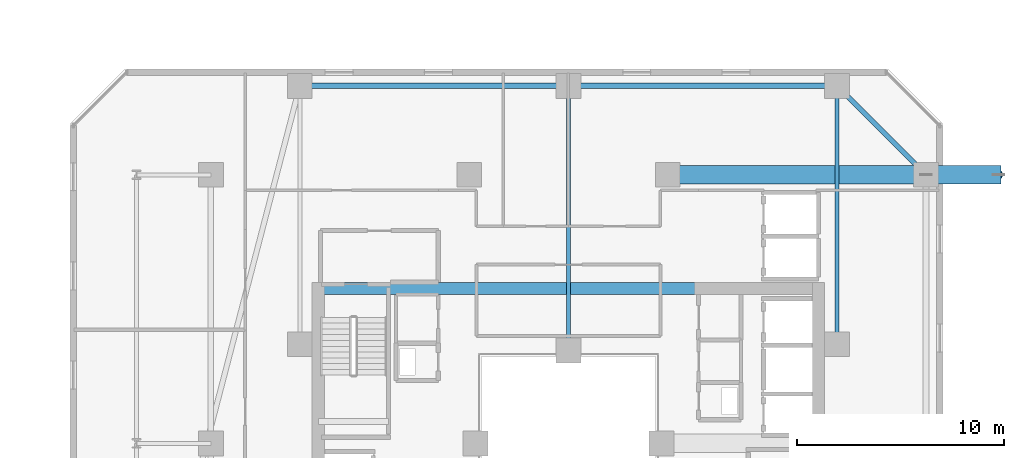
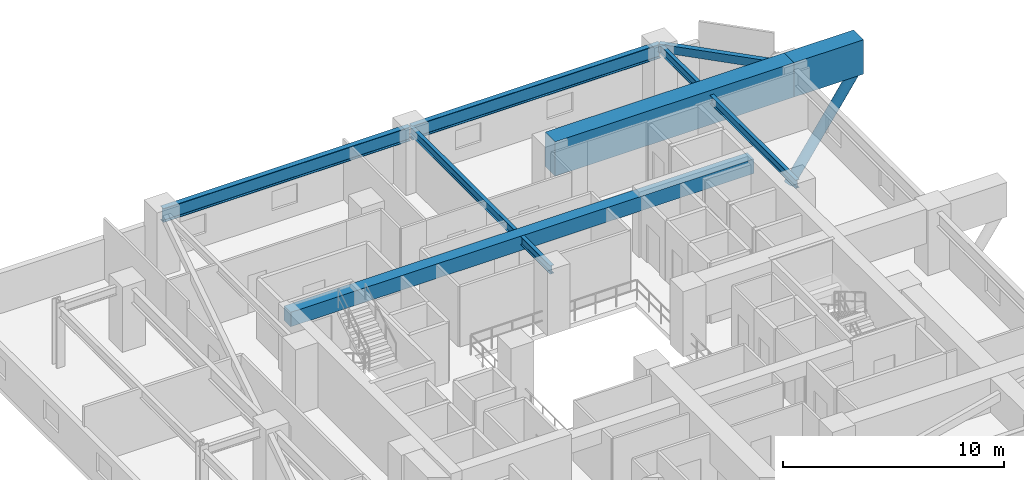
# One storey, part 16 of 36: 8 beams, 1 member.
"""IFC4 building model written with IfcOpenShell, lengths in metres."""

from ifc_helpers import new_model, si_unit, direction, frame, origin, origin_2d, place, context, subcontext, project, spatial, rectangle, hollow_rectangle, hollow_circle, i_section, extrude, material, material_profile, profile_set, type_object, element, save


model = new_model("IFC4")

# Units and contexts
model_context = context("Model", 3, precision=1e-05, world=origin(), true_north=direction((0.0, 1.0)))
body_context = subcontext(model_context, "Body", "Model", "MODEL_VIEW")
ifc_project = project(units=[si_unit("LENGTHUNIT", "METRE"), si_unit("AREAUNIT", "SQUARE_METRE"), si_unit("VOLUMEUNIT", "CUBIC_METRE"), si_unit("PLANEANGLEUNIT", "RADIAN"), si_unit("MASSUNIT", "GRAM", prefix="KILO")], contexts=[model_context])

# Site, building, storey
site_placement = place(None, origin())
site = spatial("IfcSite", under=ifc_project, at=site_placement, CompositionType="ELEMENT")
building_placement = place(site_placement, origin())
building = spatial("IfcBuilding", under=site, at=building_placement, Name="Thornwick Lancets Civic Towers", CompositionType="ELEMENT")
storey_placement = place(building_placement, frame((0.0, 0.0, 116.10009765625)))
storey = spatial("IfcBuildingStorey", under=building, at=storey_placement, Name="L30", CompositionType="ELEMENT", Elevation=116.10009765625)

# Beams
ifc_material_1 = material(Name="Concrete C60/75", Category="concrete")
ifc_material_profile_1 = material_profile(ifc_material_1, rectangle(XDim=0.60009765625, YDim=0.800048828125, at=origin_2d()), Name="RC 600x800")
ifc_profile_set_1 = profile_set([ifc_material_profile_1], Name="Concrete C60/75")
beam_type_1 = type_object("IfcBeamType", Name="BM_COUP_RC800", PredefinedType="BEAM", material=ifc_profile_set_1)
beam_1_placement = place(storey_placement, frame((76.39990234375, 34.5, 2.93994140625), z_axis=(1.0, 0.0, 0.0), x_axis=(0.0, 1.0, 0.0)))
element("IfcBeam", 1, at=beam_1_placement, inside=storey, type_object=beam_type_1, Name="CB-L30-B1", PredefinedType="BEAM", context=body_context, shape_type="SweptSolid", body=[
    extrude(rectangle(XDim=0.60009765625, YDim=0.800048828125, at=origin_2d()), origin(), (0.0, 0.0, 1.0), 24.2001953125),
])
ifc_material_2 = material(Name="Steel S355JR", Category="steel")
ifc_material_profile_2 = material_profile(ifc_material_2, i_section(OverallWidth=0.26806640625, OverallDepth=0.769775390625, WebThickness=0.015625, FlangeThickness=0.025390625, FilletRadius=0.0166015625, at=origin_2d()), Name="UKB 762x267x197")
ifc_profile_set_2 = profile_set([ifc_material_profile_2], Name="Steel S355JR")
beam_type_2 = type_object("IfcBeamType", Name="BM_GIRD_762_197", PredefinedType="BEAM", material=ifc_profile_set_2)
beam_2_placement = place(storey_placement, frame((101.5, 44.300048828125, 2.955078125), z_axis=(-1.0, 0.0, 0.0), x_axis=(0.0, -1.0, 0.0)))
element("IfcBeam", 2, at=beam_2_placement, inside=storey, type_object=beam_type_2, Name="BM-SPINE-L30-B-3-4", PredefinedType="BEAM", context=body_context, shape_type="SweptSolid", body=[
    extrude(i_section(OverallWidth=0.26806640625, OverallDepth=0.769775390625, WebThickness=0.015625, FlangeThickness=0.025390625, FilletRadius=0.0166015625, at=origin_2d()), origin(), (0.0, 0.0, 1.0), 13.0),
])
beam_3_placement = place(storey_placement, frame((88.419921875, 44.300048828125, 2.955078125), z_axis=(-1.0, 0.0, 0.0), x_axis=(0.0, -1.0, 0.0)))
element("IfcBeam", 3, at=beam_3_placement, inside=storey, type_object=beam_type_2, Name="BM-SPINE-L30-B-4-5", PredefinedType="BEAM", context=body_context, shape_type="SweptSolid", body=[
    extrude(i_section(OverallWidth=0.26806640625, OverallDepth=0.769775390625, WebThickness=0.015625, FlangeThickness=0.025390625, FilletRadius=0.0166015625, at=origin_2d()), origin(), (0.0, 0.0, 1.0), 12.919921875),
])
ifc_material_profile_3 = material_profile(ifc_material_2, i_section(OverallWidth=0.19189453125, OverallDepth=0.46337890625, WebThickness=0.010498046875, FlangeThickness=0.017578125, FilletRadius=0.01025390625, at=origin_2d()), Name="UKB 457x191x89")
ifc_profile_set_3 = profile_set([ifc_material_profile_3], Name="Steel S355JR")
beam_type_3 = type_object("IfcBeamType", Name="BM_JOIST_457_89", PredefinedType="JOIST", material=ifc_profile_set_3)
beam_4_placement = place(storey_placement, frame((101.5, 31.800048828125, 3.108154296875), z_axis=(0.0, 1.0, 0.0), x_axis=(-1.0, 0.0, 0.0)))
element("IfcBeam", 4, at=beam_4_placement, inside=storey, type_object=beam_type_3, Name="BM-RADIN-L30-B04", PredefinedType="JOIST", context=body_context, shape_type="SweptSolid", body=[
    extrude(i_section(OverallWidth=0.19189453125, OverallDepth=0.46337890625, WebThickness=0.010498046875, FlangeThickness=0.017578125, FilletRadius=0.01025390625, at=origin_2d()), origin(), (0.0, 0.0, 1.0), 12.5),
])
beam_5_placement = place(storey_placement, frame((88.5, 31.5, 3.108154296875), z_axis=(0.0, 1.0, 0.0), x_axis=(-1.0, 0.0, 0.0)))
element("IfcBeam", 5, at=beam_5_placement, inside=storey, type_object=beam_type_3, Name="BM-RADIN-L30-B05", PredefinedType="JOIST", context=body_context, shape_type="SweptSolid", body=[
    extrude(i_section(OverallWidth=0.19189453125, OverallDepth=0.46337890625, WebThickness=0.010498046875, FlangeThickness=0.017578125, FilletRadius=0.01025390625, at=origin_2d()), origin(), (0.0, 0.0, 1.0), 12.800048828125),
])
ifc_material_profile_4 = material_profile(ifc_material_2, hollow_rectangle(XDim=0.25, YDim=0.449951171875, WallThickness=0.01611328125, at=origin_2d()), Name="RHS 450x250x16")
ifc_profile_set_4 = profile_set([ifc_material_profile_4], Name="Steel S355JR")
beam_type_4 = type_object("IfcBeamType", Name="BM_RING_RHS450", PredefinedType="BEAM", material=ifc_profile_set_4)
beam_6_placement = place(storey_placement, frame((105.800048828125, 40.0, 3.114990234375), z_axis=(-0.707106781187, 0.707106781187, 0.0), x_axis=(-0.707106781187, -0.707106781187, 0.0)))
element("IfcBeam", 6, at=beam_6_placement, inside=storey, type_object=beam_type_4, Name="BM-CHAMF-L30-B-C0", PredefinedType="BEAM", context=body_context, shape_type="SweptSolid", body=[
    extrude(hollow_rectangle(XDim=0.25, YDim=0.449951171875, WallThickness=0.01611328125, at=origin_2d()), origin(), (0.0, 0.0, 1.0), 6.081298828125),
])
ifc_material_profile_5 = material_profile(ifc_material_1, rectangle(XDim=0.89990234375, YDim=1.89990234375, at=origin_2d()), Name="RC 900x1900")
ifc_profile_set_5 = profile_set([ifc_material_profile_5], Name="Concrete C60/75")
beam_type_5 = type_object("IfcBeamType", Name="BM_TR_RC1900", PredefinedType="BEAM", material=ifc_profile_set_5)
beam_7_placement = place(storey_placement, frame((93.300048828125, 40.0, 2.64990234375), z_axis=(1.0, 0.0, 0.0), x_axis=(0.0, 1.0, 0.0)))
element("IfcBeam", 7, at=beam_7_placement, inside=storey, type_object=beam_type_5, Name="TG-BACK-L31-B03", PredefinedType="BEAM", context=body_context, shape_type="SweptSolid", body=[
    extrude(rectangle(XDim=0.89990234375, YDim=1.89990234375, at=origin_2d()), origin(), (0.0, 0.0, 1.0), 12.5),
])
beam_8_placement = place(storey_placement, frame((105.800048828125, 40.0, 2.64990234375), z_axis=(1.0, 0.0, 0.0), x_axis=(0.0, 1.0, 0.0)))
element("IfcBeam", 8, at=beam_8_placement, inside=storey, type_object=beam_type_5, Name="TG-CANT-L31-B03", PredefinedType="BEAM", context=body_context, shape_type="SweptSolid", body=[
    extrude(rectangle(XDim=0.89990234375, YDim=1.89990234375, at=origin_2d()), origin(), (0.0, 0.0, 1.0), 3.619873046875),
])

# Member
ifc_material_3 = material(Name="Steel S460M", Category="steel")
ifc_material_profile_6 = material_profile(ifc_material_3, hollow_circle(Radius=0.25390625, WallThickness=0.02490234375, at=origin_2d()), Name="CHS 508x25")
ifc_profile_set_6 = profile_set([ifc_material_profile_6], Name="Steel S460M")
member_type = type_object("IfcMemberType", Name="MEM_STRUT_CHS508", PredefinedType="STRUT", material=ifc_profile_set_6)
member_placement = place(storey_placement, frame((105.800048828125, 40.0, -3.35009765625), z_axis=(0.563595410885, 0.0, 0.826050974716), x_axis=(0.0, 1.0, 0.0)))
element("IfcMember", 9, at=member_placement, inside=storey, type_object=member_type, Name="L31 Jenga Transfer Raking Strut B03", PredefinedType="STRUT", context=body_context, shape_type="SweptSolid", body=[
    extrude(hollow_circle(Radius=0.25390625, WallThickness=0.02490234375, at=origin_2d()), origin(), (0.0, 0.0, 1.0), 6.210205078125),
])

save(model, "model.ifc")
